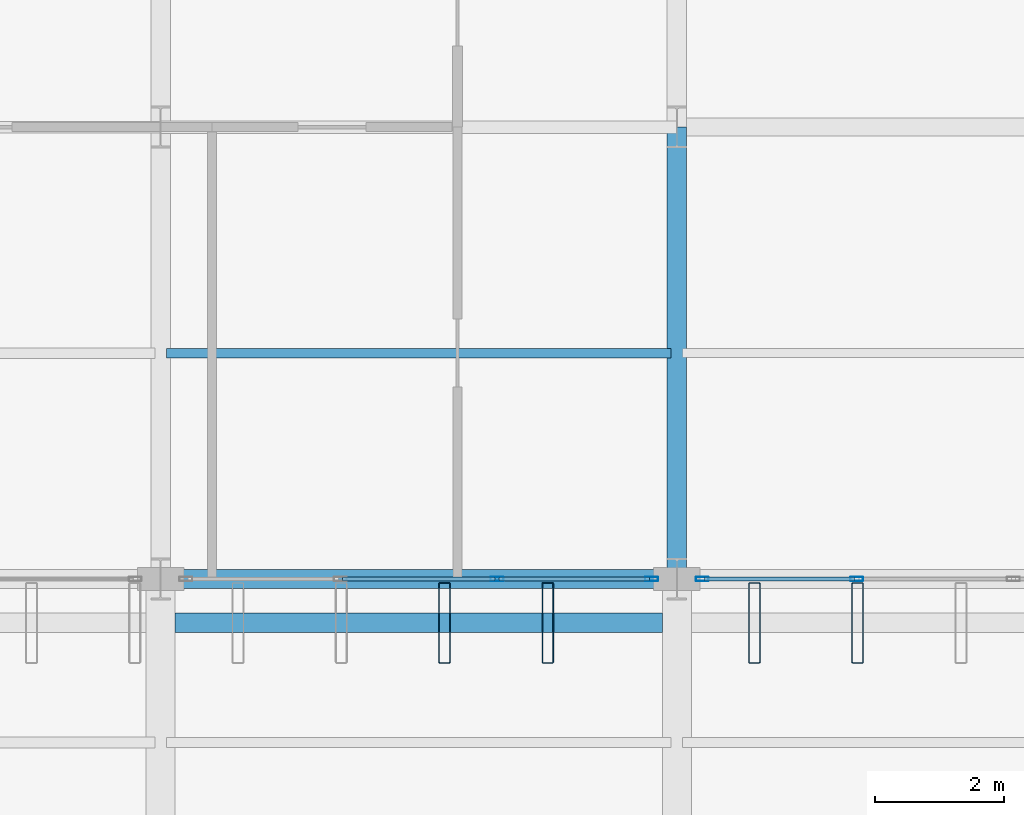
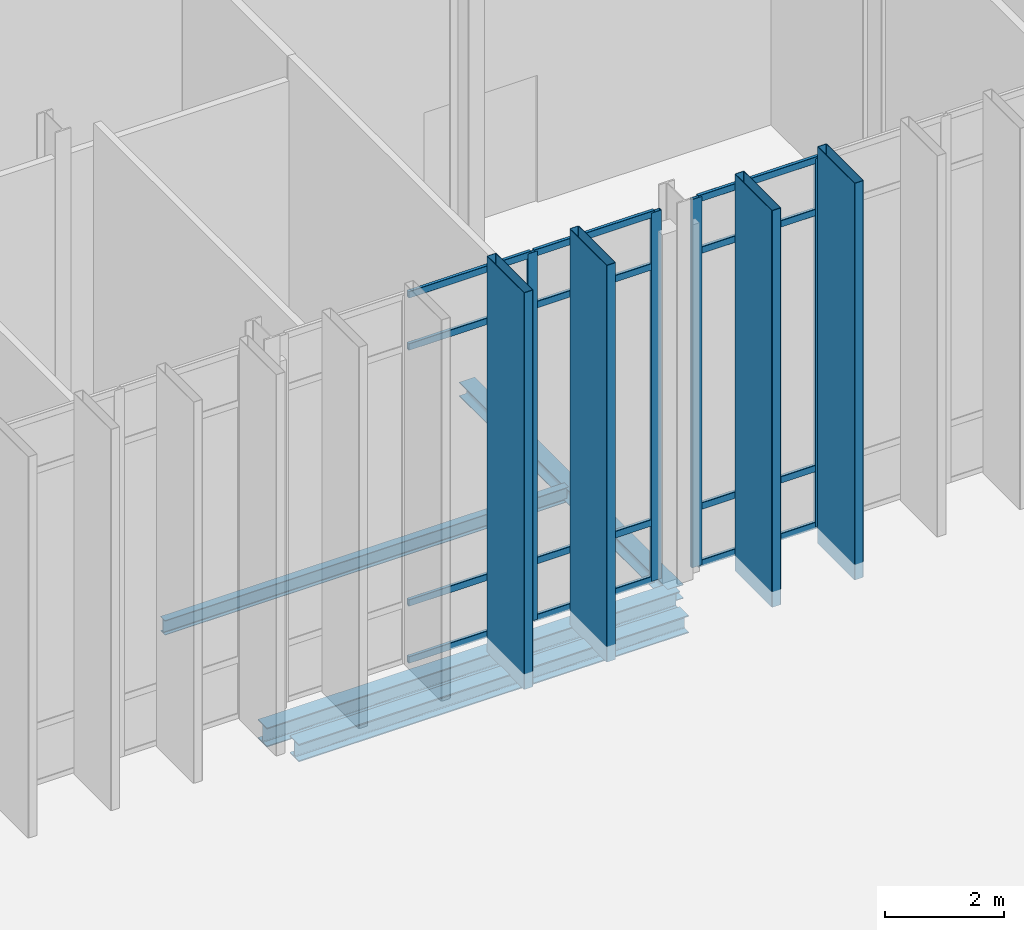
# One storey, part 43 of 176: 20 members, 4 beams, 2 elements without a shape of their own.
"""IFC4 building model written with IfcOpenShell, lengths in metres."""

from ifc_helpers import new_model, si_unit, direction, frame, origin, origin_2d, place, context, subcontext, project, spatial, hollow_rectangle, i_section, extrude, material, layer, layer_set, material_profile, profile_set, type_object, element, aggregate, save


model = new_model("IFC4")

# Units and contexts
model_context = context("Model", 3, precision=1e-05, world=origin(), true_north=direction((0.0, 1.0)))
body_context = subcontext(model_context, "Body", "Model", "MODEL_VIEW")
ifc_project = project(units=[si_unit("LENGTHUNIT", "METRE"), si_unit("AREAUNIT", "SQUARE_METRE"), si_unit("VOLUMEUNIT", "CUBIC_METRE"), si_unit("PLANEANGLEUNIT", "RADIAN"), si_unit("MASSUNIT", "GRAM", prefix="KILO")], contexts=[model_context])

# Site, building, storey
site_placement = place(None, origin())
site = spatial("IfcSite", under=ifc_project, at=site_placement, CompositionType="ELEMENT")
building_placement = place(site_placement, origin())
building = spatial("IfcBuilding", under=site, at=building_placement, Name="Vekula Escarpment Museum", CompositionType="ELEMENT")
storey_placement = place(building_placement, origin())
storey = spatial("IfcBuildingStorey", under=building, at=storey_placement, Name="L01", CompositionType="ELEMENT", Elevation=0.0)

# Beams
ifc_material_1 = material(Name="Steel S355", Category="steel")
ifc_material_profile_1 = material_profile(ifc_material_1, i_section(OverallWidth=0.300048828125, OverallDepth=0.360107421875, WebThickness=0.012451171875, FlangeThickness=0.0224609375, FilletRadius=0.027099609375, at=origin_2d()), Name="HEB 360")
ifc_profile_set_1 = profile_set([ifc_material_profile_1], Name="Steel S355")
beam_type_1 = type_object("IfcBeamType", Name="BM-GIRD-HEB360", PredefinedType="BEAM", material=ifc_profile_set_1)
beam_1_placement = place(storey_placement, frame((78.22509765625, 44.919921875, -0.47998046875), z_axis=(1.0, 0.0, 0.0), x_axis=(0.0, 1.0, 0.0)))
element("IfcBeam", 1, at=beam_1_placement, inside=storey, type_object=beam_type_1, Name="Solar Fin Sill Girder 002", PredefinedType="BEAM", context=body_context, shape_type="SweptSolid", body=[
    extrude(i_section(OverallWidth=0.300048828125, OverallDepth=0.360107421875, WebThickness=0.012451171875, FlangeThickness=0.0224609375, FilletRadius=0.027099609375, at=origin_2d()), origin(), (0.0, 0.0, 1.0), 7.5498046875),
])
ifc_material_2 = material(Name="Steel S355", Category="steel")
ifc_material_profile_2 = material_profile(ifc_material_2, i_section(OverallWidth=0.14990234375, OverallDepth=0.300048828125, WebThickness=0.007080078125, FlangeThickness=0.0107421875, FilletRadius=0.014892578125, at=origin_2d()), Name="IPE 300")
ifc_profile_set_2 = profile_set([ifc_material_profile_2], Name="Steel S355")
beam_type_2 = type_object("IfcBeamType", Name="BM-JST-IPE300", PredefinedType="JOIST", material=ifc_profile_set_2)
beam_2_placement = place(storey_placement, frame((78.090087890625, 49.10009765625, -0.449951171875), z_axis=(1.0, 0.0, 0.0), x_axis=(0.0, 1.0, 0.0)))
element("IfcBeam", 2, at=beam_2_placement, inside=storey, type_object=beam_type_2, Name="Secondary Joist L01 0257", PredefinedType="JOIST", context=body_context, shape_type="SweptSolid", body=[
    extrude(i_section(OverallWidth=0.14990234375, OverallDepth=0.300048828125, WebThickness=0.007080078125, FlangeThickness=0.0107421875, FilletRadius=0.014892578125, at=origin_2d()), origin(), (0.0, 0.0, 1.0), 7.81982421875),
])
ifc_material_3 = material(Name="Steel S355", Category="steel")
ifc_material_profile_3 = material_profile(ifc_material_3, i_section(OverallWidth=0.300048828125, OverallDepth=0.2900390625, WebThickness=0.008544921875, FlangeThickness=0.013916015625, FilletRadius=0.027099609375, at=origin_2d()), Name="HEA 300")
ifc_profile_set_3 = profile_set([ifc_material_profile_3], Name="Steel S355")
beam_type_3 = type_object("IfcBeamType", Name="BM-SPAN-HEA300", PredefinedType="SPANDREL", material=ifc_profile_set_3)
beam_3_placement = place(storey_placement, frame((86.0, 45.60009765625, -0.445068359375), z_axis=(0.0, 1.0, 0.0), x_axis=(-1.0, 0.0, 0.0)))
element("IfcBeam", 3, at=beam_3_placement, inside=storey, type_object=beam_type_3, Name="Beam Y L01 0567", PredefinedType="SPANDREL", context=body_context, shape_type="SweptSolid", body=[
    extrude(i_section(OverallWidth=0.300048828125, OverallDepth=0.2900390625, WebThickness=0.008544921875, FlangeThickness=0.013916015625, FilletRadius=0.027099609375, at=origin_2d()), origin(), (0.0, 0.0, 1.0), 7.0),
])
ifc_material_4 = material(Name="Steel S355", Category="steel")
ifc_material_profile_4 = material_profile(ifc_material_4, i_section(OverallWidth=0.300048828125, OverallDepth=0.389892578125, WebThickness=0.010986328125, FlangeThickness=0.01904296875, FilletRadius=0.027099609375, at=origin_2d()), Name="HEA 400")
ifc_profile_set_4 = profile_set([ifc_material_profile_4], Name="Steel S355")
beam_type_4 = type_object("IfcBeamType", Name="BM-SPAN-HEA400", PredefinedType="SPANDREL", material=ifc_profile_set_4)
beam_4_placement = place(storey_placement, frame((78.0, 45.60009765625, -0.4951171875), z_axis=(1.0, 0.0, 0.0), x_axis=(0.0, 1.0, 0.0)))
element("IfcBeam", 4, at=beam_4_placement, inside=storey, type_object=beam_type_4, Name="Beam X L01 0126", PredefinedType="SPANDREL", context=body_context, shape_type="SweptSolid", body=[
    extrude(i_section(OverallWidth=0.300048828125, OverallDepth=0.389892578125, WebThickness=0.010986328125, FlangeThickness=0.01904296875, FilletRadius=0.027099609375, at=origin_2d()), origin(), (0.0, 0.0, 1.0), 8.0),
])

# Curtain wall, members
ifc_material_5 = material(Name="Aluminium thermally broken framing", Category="aluminium")
ifc_layer_1 = layer(ifc_material_5, 0.159912109375)
ifc_layer_set_1 = layer_set([ifc_layer_1], Name="Aluminium thermally broken framing")
curtain_wall_type_1 = type_object("IfcCurtainWallType", Name="CW-SYS-05", PredefinedType="NOTDEFINED", material=ifc_layer_set_1)
curtain_wall_1_placement = place(storey_placement, origin())
curtain_wall_1 = element("IfcCurtainWall", 5, at=curtain_wall_1_placement, inside=storey, type_object=curtain_wall_type_1, Name="Curtain Wall CW-L01-045", PredefinedType="NOTDEFINED")
ifc_material_6 = material(Name="Aluminium anodized mullion", Category="aluminium")
ifc_material_profile_5 = material_profile(ifc_material_6, hollow_rectangle(XDim=0.06494140625, YDim=0.199951171875, WallThickness=0.00390625, InnerFilletRadius=0.00390625, OuterFilletRadius=0.008056640625, at=origin_2d()), Name="ALU 200x65x4")
ifc_profile_set_5 = profile_set([ifc_material_profile_5], Name="Aluminium anodized mullion")
member_type_1 = type_object("IfcMemberType", Name="CW-MUL-200", PredefinedType="MULLION", material=ifc_profile_set_5)
member_1_placement = place(storey_placement, frame((83.21337890625, 45.60009765625, 0.0), z_axis=(0.0, 0.0, 1.0), x_axis=(0.0, 1.0, 0.0)))
member_1 = element("IfcMember", 6, at=member_1_placement, type_object=member_type_1, Name="CW-05 mullion 3", PredefinedType="MULLION", context=body_context, shape_type="SweptSolid", body=[
    extrude(hollow_rectangle(XDim=0.06494140625, YDim=0.199951171875, WallThickness=0.00390625, InnerFilletRadius=0.00390625, OuterFilletRadius=0.008056640625, at=origin_2d()), origin(), (0.0, 0.0, 1.0), 7.5400390625),
])
member_2_placement = place(storey_placement, frame((85.607421875, 45.60009765625, 0.0), z_axis=(0.0, 0.0, 1.0), x_axis=(0.0, 1.0, 0.0)))
member_2 = element("IfcMember", 7, at=member_2_placement, type_object=member_type_1, Name="CW-05 mullion 4", PredefinedType="MULLION", context=body_context, shape_type="SweptSolid", body=[
    extrude(hollow_rectangle(XDim=0.06494140625, YDim=0.199951171875, WallThickness=0.00390625, InnerFilletRadius=0.00390625, OuterFilletRadius=0.008056640625, at=origin_2d()), origin(), (0.0, 0.0, 1.0), 7.5400390625),
])

ifc_material_7 = material(Name="Aluminium thermally broken framing", Category="aluminium")
ifc_layer_2 = layer(ifc_material_7, 0.139892578125)
ifc_layer_set_2 = layer_set([ifc_layer_2], Name="Aluminium thermally broken framing")
curtain_wall_type_2 = type_object("IfcCurtainWallType", Name="CW-SYS-06", PredefinedType="NOTDEFINED", material=ifc_layer_set_2)
curtain_wall_2_placement = place(storey_placement, origin())
curtain_wall_2 = element("IfcCurtainWall", 8, at=curtain_wall_2_placement, inside=storey, type_object=curtain_wall_type_2, Name="Curtain Wall CW-L01-046", PredefinedType="NOTDEFINED")
member_3_placement = place(storey_placement, frame((86.392578125, 45.60009765625, 0.0), z_axis=(0.0, 0.0, 1.0), x_axis=(0.0, 1.0, 0.0)))
member_3 = element("IfcMember", 9, at=member_3_placement, type_object=member_type_1, Name="CW-06 mullion 1", PredefinedType="MULLION", context=body_context, shape_type="SweptSolid", body=[
    extrude(hollow_rectangle(XDim=0.06494140625, YDim=0.199951171875, WallThickness=0.00390625, InnerFilletRadius=0.00390625, OuterFilletRadius=0.008056640625, at=origin_2d()), origin(), (0.0, 0.0, 1.0), 7.5400390625),
])
member_4_placement = place(storey_placement, frame((88.78662109375, 45.60009765625, 0.0), z_axis=(0.0, 0.0, 1.0), x_axis=(0.0, 1.0, 0.0)))
member_4 = element("IfcMember", 10, at=member_4_placement, type_object=member_type_1, Name="CW-06 mullion 2", PredefinedType="MULLION", context=body_context, shape_type="SweptSolid", body=[
    extrude(hollow_rectangle(XDim=0.06494140625, YDim=0.199951171875, WallThickness=0.00390625, InnerFilletRadius=0.00390625, OuterFilletRadius=0.008056640625, at=origin_2d()), origin(), (0.0, 0.0, 1.0), 7.5400390625),
])

# Member
ifc_material_8 = material(Name="Aluminium anodized transom", Category="aluminium")
ifc_material_profile_6 = material_profile(ifc_material_8, hollow_rectangle(XDim=0.06494140625, YDim=0.139892578125, WallThickness=0.00390625, InnerFilletRadius=0.00390625, OuterFilletRadius=0.008056640625, at=origin_2d()), Name="ALU 140x65x4")
ifc_profile_set_6 = profile_set([ifc_material_profile_6], Name="Aluminium anodized transom")
member_type_2 = type_object("IfcMemberType", Name="CW-TRN-140", PredefinedType="USERDEFINED", material=ifc_profile_set_6)
member_5_placement = place(storey_placement, frame((80.819091796875, 45.60009765625, 0.032470703125), z_axis=(1.0, 0.0, 0.0), x_axis=(0.0, 1.0, 0.0)))
member_5 = element("IfcMember", 11, at=member_5_placement, type_object=member_type_2, Name="CW-05 transom 2.1", ObjectType="TRANSOM", PredefinedType="USERDEFINED", context=body_context, shape_type="SweptSolid", body=[
    extrude(hollow_rectangle(XDim=0.06494140625, YDim=0.139892578125, WallThickness=0.00390625, InnerFilletRadius=0.00390625, OuterFilletRadius=0.008056640625, at=origin_2d()), origin(), (0.0, 0.0, 1.0), 2.36181640625),
])

member_6_placement = place(storey_placement, frame((80.819091796875, 45.60009765625, 1.199951171875), z_axis=(1.0, 0.0, 0.0), x_axis=(0.0, 1.0, 0.0)))
member_6 = element("IfcMember", 12, at=member_6_placement, type_object=member_type_2, Name="CW-05 transom 2.2", ObjectType="TRANSOM", PredefinedType="USERDEFINED", context=body_context, shape_type="SweptSolid", body=[
    extrude(hollow_rectangle(XDim=0.06494140625, YDim=0.139892578125, WallThickness=0.00390625, InnerFilletRadius=0.00390625, OuterFilletRadius=0.008056640625, at=origin_2d()), origin(), (0.0, 0.0, 1.0), 2.36181640625),
])

member_7_placement = place(storey_placement, frame((80.819091796875, 45.60009765625, 6.43994140625), z_axis=(1.0, 0.0, 0.0), x_axis=(0.0, 1.0, 0.0)))
member_7 = element("IfcMember", 13, at=member_7_placement, type_object=member_type_2, Name="CW-05 transom 2.3", ObjectType="TRANSOM", PredefinedType="USERDEFINED", context=body_context, shape_type="SweptSolid", body=[
    extrude(hollow_rectangle(XDim=0.06494140625, YDim=0.139892578125, WallThickness=0.00390625, InnerFilletRadius=0.00390625, OuterFilletRadius=0.008056640625, at=origin_2d()), origin(), (0.0, 0.0, 1.0), 2.36181640625),
])

member_8_placement = place(storey_placement, frame((80.819091796875, 45.60009765625, 7.507568359375), z_axis=(1.0, 0.0, 0.0), x_axis=(0.0, 1.0, 0.0)))
member_8 = element("IfcMember", 14, at=member_8_placement, type_object=member_type_2, Name="CW-05 transom 2.4", ObjectType="TRANSOM", PredefinedType="USERDEFINED", context=body_context, shape_type="SweptSolid", body=[
    extrude(hollow_rectangle(XDim=0.06494140625, YDim=0.139892578125, WallThickness=0.00390625, InnerFilletRadius=0.00390625, OuterFilletRadius=0.008056640625, at=origin_2d()), origin(), (0.0, 0.0, 1.0), 2.36181640625),
])

member_9_placement = place(storey_placement, frame((83.245849609375, 45.60009765625, 0.032470703125), z_axis=(1.0, 0.0, 0.0), x_axis=(0.0, 1.0, 0.0)))
member_9 = element("IfcMember", 15, at=member_9_placement, type_object=member_type_2, Name="CW-05 transom 3.1", ObjectType="TRANSOM", PredefinedType="USERDEFINED", context=body_context, shape_type="SweptSolid", body=[
    extrude(hollow_rectangle(XDim=0.06494140625, YDim=0.139892578125, WallThickness=0.00390625, InnerFilletRadius=0.00390625, OuterFilletRadius=0.008056640625, at=origin_2d()), origin(), (0.0, 0.0, 1.0), 2.3291015625),
])

member_10_placement = place(storey_placement, frame((83.245849609375, 45.60009765625, 1.199951171875), z_axis=(1.0, 0.0, 0.0), x_axis=(0.0, 1.0, 0.0)))
member_10 = element("IfcMember", 16, at=member_10_placement, type_object=member_type_2, Name="CW-05 transom 3.2", ObjectType="TRANSOM", PredefinedType="USERDEFINED", context=body_context, shape_type="SweptSolid", body=[
    extrude(hollow_rectangle(XDim=0.06494140625, YDim=0.139892578125, WallThickness=0.00390625, InnerFilletRadius=0.00390625, OuterFilletRadius=0.008056640625, at=origin_2d()), origin(), (0.0, 0.0, 1.0), 2.3291015625),
])

member_11_placement = place(storey_placement, frame((83.245849609375, 45.60009765625, 6.43994140625), z_axis=(1.0, 0.0, 0.0), x_axis=(0.0, 1.0, 0.0)))
member_11 = element("IfcMember", 17, at=member_11_placement, type_object=member_type_2, Name="CW-05 transom 3.3", ObjectType="TRANSOM", PredefinedType="USERDEFINED", context=body_context, shape_type="SweptSolid", body=[
    extrude(hollow_rectangle(XDim=0.06494140625, YDim=0.139892578125, WallThickness=0.00390625, InnerFilletRadius=0.00390625, OuterFilletRadius=0.008056640625, at=origin_2d()), origin(), (0.0, 0.0, 1.0), 2.3291015625),
])

member_12_placement = place(storey_placement, frame((83.245849609375, 45.60009765625, 7.507568359375), z_axis=(1.0, 0.0, 0.0), x_axis=(0.0, 1.0, 0.0)))
member_12 = element("IfcMember", 18, at=member_12_placement, type_object=member_type_2, Name="CW-05 transom 3.4", ObjectType="TRANSOM", PredefinedType="USERDEFINED", context=body_context, shape_type="SweptSolid", body=[
    extrude(hollow_rectangle(XDim=0.06494140625, YDim=0.139892578125, WallThickness=0.00390625, InnerFilletRadius=0.00390625, OuterFilletRadius=0.008056640625, at=origin_2d()), origin(), (0.0, 0.0, 1.0), 2.3291015625),
])

aggregate(curtain_wall_1, [member_1, member_2, member_5, member_6, member_7, member_8, member_9, member_10, member_11, member_12])

member_13_placement = place(storey_placement, frame((86.425048828125, 45.60009765625, 0.032470703125), z_axis=(1.0, 0.0, 0.0), x_axis=(0.0, 1.0, 0.0)))
member_13 = element("IfcMember", 19, at=member_13_placement, type_object=member_type_2, Name="CW-06 transom 1.1", ObjectType="TRANSOM", PredefinedType="USERDEFINED", context=body_context, shape_type="SweptSolid", body=[
    extrude(hollow_rectangle(XDim=0.06494140625, YDim=0.139892578125, WallThickness=0.00390625, InnerFilletRadius=0.00390625, OuterFilletRadius=0.008056640625, at=origin_2d()), origin(), (0.0, 0.0, 1.0), 2.3291015625),
])

member_14_placement = place(storey_placement, frame((86.425048828125, 45.60009765625, 1.199951171875), z_axis=(1.0, 0.0, 0.0), x_axis=(0.0, 1.0, 0.0)))
member_14 = element("IfcMember", 20, at=member_14_placement, type_object=member_type_2, Name="CW-06 transom 1.2", ObjectType="TRANSOM", PredefinedType="USERDEFINED", context=body_context, shape_type="SweptSolid", body=[
    extrude(hollow_rectangle(XDim=0.06494140625, YDim=0.139892578125, WallThickness=0.00390625, InnerFilletRadius=0.00390625, OuterFilletRadius=0.008056640625, at=origin_2d()), origin(), (0.0, 0.0, 1.0), 2.3291015625),
])

member_15_placement = place(storey_placement, frame((86.425048828125, 45.60009765625, 6.43994140625), z_axis=(1.0, 0.0, 0.0), x_axis=(0.0, 1.0, 0.0)))
member_15 = element("IfcMember", 21, at=member_15_placement, type_object=member_type_2, Name="CW-06 transom 1.3", ObjectType="TRANSOM", PredefinedType="USERDEFINED", context=body_context, shape_type="SweptSolid", body=[
    extrude(hollow_rectangle(XDim=0.06494140625, YDim=0.139892578125, WallThickness=0.00390625, InnerFilletRadius=0.00390625, OuterFilletRadius=0.008056640625, at=origin_2d()), origin(), (0.0, 0.0, 1.0), 2.3291015625),
])

member_16_placement = place(storey_placement, frame((86.425048828125, 45.60009765625, 7.507568359375), z_axis=(1.0, 0.0, 0.0), x_axis=(0.0, 1.0, 0.0)))
member_16 = element("IfcMember", 22, at=member_16_placement, type_object=member_type_2, Name="CW-06 transom 1.4", ObjectType="TRANSOM", PredefinedType="USERDEFINED", context=body_context, shape_type="SweptSolid", body=[
    extrude(hollow_rectangle(XDim=0.06494140625, YDim=0.139892578125, WallThickness=0.00390625, InnerFilletRadius=0.00390625, OuterFilletRadius=0.008056640625, at=origin_2d()), origin(), (0.0, 0.0, 1.0), 2.3291015625),
])

aggregate(curtain_wall_2, [member_3, member_4, member_13, member_14, member_15, member_16])

# Members
ifc_material_9 = material(Name="Steel S355 weathered bronze solar fin", Category="steel")
ifc_material_profile_7 = material_profile(ifc_material_9, hollow_rectangle(XDim=0.179931640625, YDim=1.25, WallThickness=0.010009765625, InnerFilletRadius=0.010009765625, OuterFilletRadius=0.02001953125, at=origin_2d()), Name="RHS 1250x180x10")
ifc_profile_set_7 = profile_set([ifc_material_profile_7], Name="Steel S355 weathered bronze solar fin")
member_type_3 = type_object("IfcMemberType", Name="MB-SOLAR-FIN", PredefinedType="USERDEFINED", material=ifc_profile_set_7)
for number, where, z_axis, x_axis, name in (
    (23, (82.39990234375, 44.919921875, -0.320068359375), (0.0, 0.0, 1.0), (1.0, 0.0, 0.0), "Great Hall Vertical Solar Fin 0036"),
    (24, (84.0, 44.919921875, -0.320068359375), (0.0, 0.0, 1.0), (1.0, 0.0, 0.0), "Great Hall Vertical Solar Fin 0041"),
    (25, (87.199951171875, 44.919921875, -0.320068359375), (0.0, 0.0, 1.0), (1.0, 0.0, 0.0), "Great Hall Vertical Solar Fin 0046"),
    (26, (88.800048828125, 44.919921875, -0.320068359375), (0.0, 0.0, 1.0), (1.0, 0.0, 0.0), "Great Hall Vertical Solar Fin 0051"),
):
    element("IfcMember", number, at=place(storey_placement, frame(where, z_axis=z_axis, x_axis=x_axis)), inside=storey, type_object=member_type_3, Name=name, ObjectType="SOLAR FIN", PredefinedType="USERDEFINED", context=body_context, shape_type="SweptSolid", body=[
        extrude(hollow_rectangle(XDim=0.179931640625, YDim=1.25, WallThickness=0.010009765625, InnerFilletRadius=0.010009765625, OuterFilletRadius=0.02001953125, at=origin_2d()), origin(), (0.0, 0.0, 1.0), 8.1201171875),
    ])

save(model, "model.ifc")
